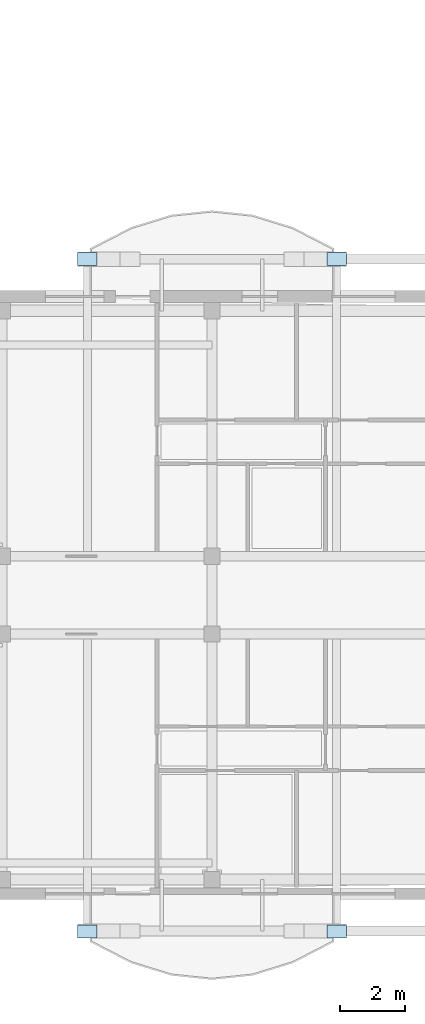
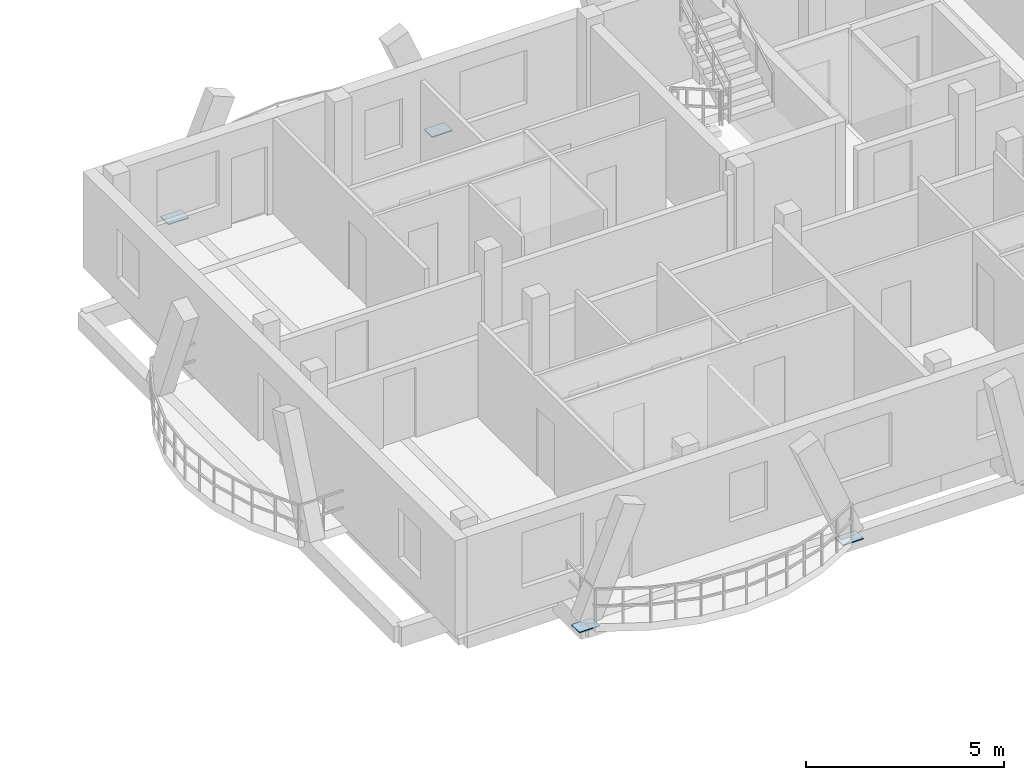
# One storey, part 12 of 50: 4 plates.
"""IFC4 building model written with IfcOpenShell, lengths in metres."""

from ifc_helpers import new_model, si_unit, direction, frame, origin, origin_2d, place, context, subcontext, project, spatial, rectangle, extrude, material, layer, layer_set, type_object, element, save


model = new_model("IFC4")

# Units and contexts
model_context = context("Model", 3, precision=1e-05, world=origin(), true_north=direction((0.0, 1.0)))
body_context = subcontext(model_context, "Body", "Model", "MODEL_VIEW")
ifc_project = project(units=[si_unit("LENGTHUNIT", "METRE"), si_unit("AREAUNIT", "SQUARE_METRE"), si_unit("VOLUMEUNIT", "CUBIC_METRE"), si_unit("PLANEANGLEUNIT", "RADIAN"), si_unit("MASSUNIT", "GRAM", prefix="KILO")], contexts=[model_context])

# Site, building, storey
site_placement = place(None, origin())
site = spatial("IfcSite", under=ifc_project, at=site_placement, CompositionType="ELEMENT")
building_placement = place(site_placement, origin())
building = spatial("IfcBuilding", under=site, at=building_placement, Name="Zavelmont Quarter", CompositionType="ELEMENT")
storey_placement = place(building_placement, frame((0.0, 0.0, 11.199951171875)))
storey = spatial("IfcBuildingStorey", under=building, at=storey_placement, Name="L03", CompositionType="ELEMENT", Elevation=11.199951171875)

# Plates
ifc_material = material(Name="Steel S355", Category="steel")
ifc_layer = layer(ifc_material, 0.030029296875)
ifc_layer_set = layer_set([ifc_layer], Name="Steel S355")
plate_type = type_object("IfcPlateType", Name="NP05", PredefinedType="SHEET", material=ifc_layer_set)
for number, where, z_axis, x_axis, name in (
    (1, (115.863525390625, -1.162109375, -0.21484375), (0.0, 0.0, 1.0), (1.0, 0.0, 0.0), "L03 steel connection plate NP05 at 17/A"),
    (2, (123.536376953125, -1.162109375, -0.21484375), (0.0, 0.0, 1.0), (1.0, 0.0, 0.0), "L03 steel connection plate NP05 at 19/A"),
    (3, (115.863525390625, 19.56201171875, -0.21484375), (0.0, 0.0, 1.0), (1.0, 0.0, 0.0), "L03 steel connection plate NP05 at 17/D"),
    (4, (123.536376953125, 19.56201171875, -0.21484375), (0.0, 0.0, 1.0), (1.0, 0.0, 0.0), "L03 steel connection plate NP05 at 19/D"),
):
    element("IfcPlate", number, at=place(storey_placement, frame(where, z_axis=z_axis, x_axis=x_axis)), inside=storey, type_object=plate_type, Name=name, PredefinedType="SHEET", context=body_context, shape_type="SweptSolid", body=[
        extrude(rectangle(XDim=0.60009765625, YDim=0.39990234375, at=origin_2d()), origin(), (0.0, 0.0, 1.0), 0.030029296875),
    ])

save(model, "model.ifc")
